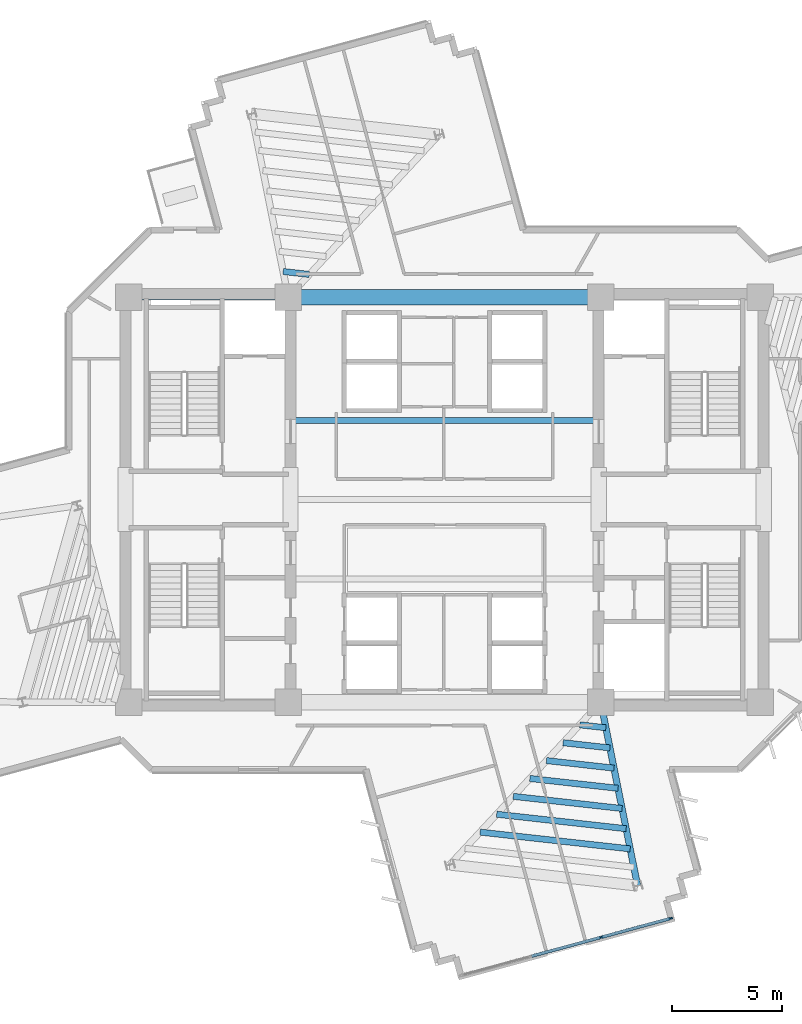
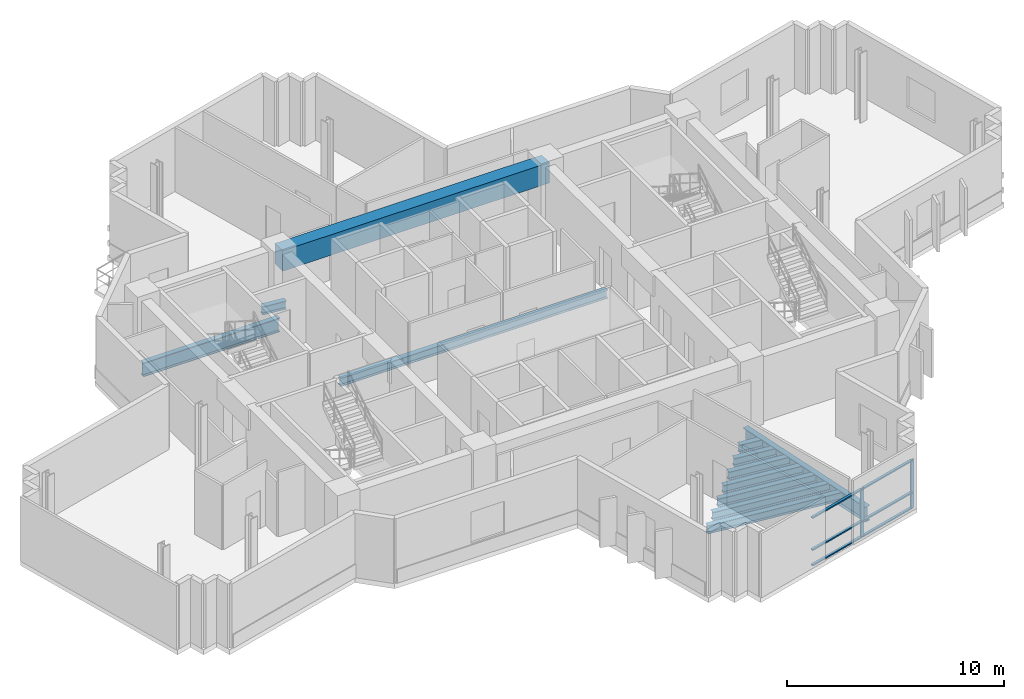
# One storey, part 5 of 15: 12 beams, 8 members, 1 element without a shape of its own.
"""IFC4 building model written with IfcOpenShell, lengths in metres."""

from ifc_helpers import new_model, si_unit, direction, frame, origin, origin_2d, place, context, subcontext, project, spatial, rectangle, i_section, extrude, source, transform, mapped, material, layer, layer_set, material_profile, profile_set, type_object, element, aggregate, save


model = new_model("IFC4")

# Units and contexts
model_context = context("Model", 3, precision=1e-05, world=origin(), true_north=direction((0.0, 1.0)))
body_context = subcontext(model_context, "Body", "Model", "MODEL_VIEW")
ifc_project = project(units=[si_unit("LENGTHUNIT", "METRE"), si_unit("AREAUNIT", "SQUARE_METRE"), si_unit("VOLUMEUNIT", "CUBIC_METRE"), si_unit("PLANEANGLEUNIT", "RADIAN"), si_unit("MASSUNIT", "GRAM", prefix="KILO")], contexts=[model_context])

# Site, building, storey
site_placement = place(None, origin())
site = spatial("IfcSite", under=ifc_project, at=site_placement, CompositionType="ELEMENT")
building_placement = place(site_placement, origin())
building = spatial("IfcBuilding", under=site, at=building_placement, Name="Zahravan Cultural Tower", CompositionType="ELEMENT")
storey_placement = place(building_placement, frame((0.0, 0.0, 198.0)))
storey = spatial("IfcBuildingStorey", under=building, at=storey_placement, Name="L46", CompositionType="ELEMENT", Elevation=198.0)

# Beams
ifc_material_1 = material(Name="Concrete C50/60", Category="concrete")
ifc_material_profile_1 = material_profile(ifc_material_1, rectangle(XDim=0.699951171875, YDim=1.14990234375, at=origin_2d()), Name="RC700X1150")
ifc_profile_set_1 = profile_set([ifc_material_profile_1], Name="Concrete C50/60")
beam_type_1 = type_object("IfcBeamType", Name="BM-LN-RC700X1150", PredefinedType="LINTEL", material=ifc_profile_set_1)
shared_shape_1 = source(origin(), body_context, "Body", "SweptSolid", [
    extrude(rectangle(XDim=0.699951171875, YDim=1.14990234375, at=origin_2d()), origin(), (0.0, 0.0, 1.0), 14.2001953125),
])
beam_1_placement = place(storey_placement, frame((28.89990234375, 36.199951171875, 3.044921875), z_axis=(1.0, 0.0, 0.0), x_axis=(0.0, 1.0, 0.0)))
element("IfcBeam", 1, at=beam_1_placement, inside=storey, type_object=beam_type_1, Name="L46 Beam LN-L46-N", PredefinedType="LINTEL", context=body_context, shape_type="MappedRepresentation", body=[
    mapped(shared_shape_1, transform((0.0, 0.0, 0.0), x_axis=(1.0, 0.0, 0.0), y_axis=(0.0, 1.0, 0.0), z_axis=(0.0, 0.0, 1.0), scale=1.0)),
])
ifc_material_2 = material(Name="Steel ASTM A992 Grade 50", Category="steel")
ifc_material_profile_2 = material_profile(ifc_material_2, i_section(OverallWidth=0.26611328125, OverallDepth=0.780029296875, WebThickness=0.0166015625, FlangeThickness=0.030029296875, FilletRadius=0.01904296875, at=origin_2d()), Name="W30X148")
ifc_profile_set_2 = profile_set([ifc_material_profile_2], Name="Steel ASTM A992 Grade 50")
beam_type_2 = type_object("IfcBeamType", Name="BM-G-W30X148", PredefinedType="BEAM", material=ifc_profile_set_2)
shared_shape_2 = source(origin(), body_context, "Body", "SweptSolid", [
    extrude(i_section(OverallWidth=0.26611328125, OverallDepth=0.780029296875, WebThickness=0.0166015625, FlangeThickness=0.030029296875, FilletRadius=0.01904296875, at=origin_2d()), origin(), (0.0, 0.0, 1.0), 7.25),
])
beam_2_placement = place(storey_placement, frame((21.64990234375, 36.199951171875, -0.669921875), z_axis=(1.0, 0.0, 0.0), x_axis=(0.0, 1.0, 0.0)))
element("IfcBeam", 2, at=beam_2_placement, inside=storey, type_object=beam_type_2, Name="L46 Beam BG-L46-02", PredefinedType="BEAM", context=body_context, shape_type="MappedRepresentation", body=[
    mapped(shared_shape_2, transform((0.0, 0.0, 0.0), x_axis=(1.0, 0.0, 0.0), y_axis=(0.0, 1.0, 0.0), z_axis=(0.0, 0.0, 1.0), scale=1.0)),
])
ifc_material_profile_3 = material_profile(ifc_material_2, i_section(OverallWidth=0.29296875, OverallDepth=0.845947265625, WebThickness=0.015380859375, FlangeThickness=0.0244140625, FilletRadius=0.02001953125, at=origin_2d()), Name="W33X141")
ifc_profile_set_3 = profile_set([ifc_material_profile_3], Name="Steel ASTM A992 Grade 50")
beam_type_3 = type_object("IfcBeamType", Name="BM-G-W33X141", PredefinedType="BEAM", material=ifc_profile_set_3)
shared_shape_3 = source(origin(), body_context, "Body", "SweptSolid", [
    extrude(i_section(OverallWidth=0.29296875, OverallDepth=0.845947265625, WebThickness=0.015380859375, FlangeThickness=0.0244140625, FilletRadius=0.02001953125, at=origin_2d()), origin(), (0.0, 0.0, 1.0), 8.50732421875),
])
beam_3_placement = place(storey_placement, frame((43.10009765625, 17.800048828125, -0.702880859375), z_axis=(0.196524514012, -0.980498911469, 0.0), x_axis=(0.980498911469, 0.196524514012, 0.0)))
element("IfcBeam", 3, at=beam_3_placement, inside=storey, type_object=beam_type_3, Name="L46 Beam BG-L46-10", PredefinedType="BEAM", context=body_context, shape_type="MappedRepresentation", body=[
    mapped(shared_shape_3, transform((0.0, 0.0, 0.0), x_axis=(1.0, 0.0, 0.0), y_axis=(0.0, 1.0, 0.0), z_axis=(0.0, 0.0, 1.0), scale=1.0)),
])
ifc_material_profile_4 = material_profile(ifc_material_2, i_section(OverallWidth=0.280029296875, OverallDepth=0.462890625, WebThickness=0.0107421875, FlangeThickness=0.017333984375, FilletRadius=0.012939453125, at=origin_2d()), Name="W18X76")
ifc_profile_set_4 = profile_set([ifc_material_profile_4], Name="Steel ASTM A992 Grade 50")
beam_type_4 = type_object("IfcBeamType", Name="BM-J-W18X76", PredefinedType="JOIST", material=ifc_profile_set_4)
shared_shape_4 = source(origin(), body_context, "Body", "SweptSolid", [
    extrude(i_section(OverallWidth=0.280029296875, OverallDepth=0.462890625, WebThickness=0.0107421875, FlangeThickness=0.017333984375, FilletRadius=0.012939453125, at=origin_2d()), origin(), (0.0, 0.0, 1.0), 14.2001953125),
])
beam_4_placement = place(storey_placement, frame((28.89990234375, 30.60009765625, -0.511474609375), z_axis=(1.0, 0.0, 0.0), x_axis=(0.0, 1.0, 0.0)))
element("IfcBeam", 4, at=beam_4_placement, inside=storey, type_object=beam_type_4, Name="L46 Beam BJ-L46-25", PredefinedType="JOIST", context=body_context, shape_type="MappedRepresentation", body=[
    mapped(shared_shape_4, transform((0.0, 0.0, 0.0), x_axis=(1.0, 0.0, 0.0), y_axis=(0.0, 1.0, 0.0), z_axis=(0.0, 0.0, 1.0), scale=1.0)),
])
shared_shape_5 = source(origin(), body_context, "Body", "SweptSolid", [
    extrude(i_section(OverallWidth=0.280029296875, OverallDepth=0.462890625, WebThickness=0.0107421875, FlangeThickness=0.017333984375, FilletRadius=0.012939453125, at=origin_2d()), origin(), (0.0, 0.0, 1.0), 1.201171875),
])
for number, where, z_axis, x_axis, name in (
    (5, (42.140380859375, 16.765625, -0.511474609375), (0.99379916149, -0.111190047317, 0.0), (0.111190047317, 0.99379916149, 0.0), "L46 Beam BJ-L46-34"),
    (6, (29.859619140625, 37.234375, -0.511474609375), (-0.99379916149, 0.111190047317, 0.0), (-0.111190047317, -0.99379916149, 0.0), "L46 Beam BJ-L46-50"),
):
    element("IfcBeam", number, at=place(storey_placement, frame(where, z_axis=z_axis, x_axis=x_axis)), inside=storey, type_object=beam_type_4, Name=name, PredefinedType="JOIST", context=body_context, shape_type="MappedRepresentation", body=[
        mapped(shared_shape_5, transform((0.0, 0.0, 0.0), x_axis=(1.0, 0.0, 0.0), y_axis=(0.0, 1.0, 0.0), z_axis=(0.0, 0.0, 1.0), scale=1.0)),
    ])
shared_shape_6 = source(origin(), body_context, "Body", "SweptSolid", [
    extrude(i_section(OverallWidth=0.280029296875, OverallDepth=0.462890625, WebThickness=0.0107421875, FlangeThickness=0.017333984375, FilletRadius=0.012939453125, at=origin_2d()), origin(), (0.0, 0.0, 1.0), 2.144775390625),
])
beam_5_placement = place(storey_placement, frame((41.386474609375, 15.953125, -0.511474609375), z_axis=(0.993797370806, -0.111206051, 0.0), x_axis=(0.111206051, 0.993797370806, 0.0)))
element("IfcBeam", 7, at=beam_5_placement, inside=storey, type_object=beam_type_4, Name="L46 Beam BJ-L46-35", PredefinedType="JOIST", context=body_context, shape_type="MappedRepresentation", body=[
    mapped(shared_shape_6, transform((0.0, 0.0, 0.0), x_axis=(1.0, 0.0, 0.0), y_axis=(0.0, 1.0, 0.0), z_axis=(0.0, 0.0, 1.0), scale=1.0)),
])
shared_shape_7 = source(origin(), body_context, "Body", "SweptSolid", [
    extrude(i_section(OverallWidth=0.280029296875, OverallDepth=0.462890625, WebThickness=0.0107421875, FlangeThickness=0.017333984375, FilletRadius=0.012939453125, at=origin_2d()), origin(), (0.0, 0.0, 1.0), 3.088623046875),
])
beam_6_placement = place(storey_placement, frame((40.63232421875, 15.140380859375, -0.511474609375), z_axis=(0.993805407368, -0.111134208443, 0.0), x_axis=(0.111134208443, 0.993805407368, 0.0)))
element("IfcBeam", 8, at=beam_6_placement, inside=storey, type_object=beam_type_4, Name="L46 Beam BJ-L46-36", PredefinedType="JOIST", context=body_context, shape_type="MappedRepresentation", body=[
    mapped(shared_shape_7, transform((0.0, 0.0, 0.0), x_axis=(1.0, 0.0, 0.0), y_axis=(0.0, 1.0, 0.0), z_axis=(0.0, 0.0, 1.0), scale=1.0)),
])
shared_shape_8 = source(origin(), body_context, "Body", "SweptSolid", [
    extrude(i_section(OverallWidth=0.280029296875, OverallDepth=0.462890625, WebThickness=0.0107421875, FlangeThickness=0.017333984375, FilletRadius=0.012939453125, at=origin_2d()), origin(), (0.0, 0.0, 1.0), 4.0322265625),
])
beam_7_placement = place(storey_placement, frame((39.87841796875, 14.327880859375, -0.511474609375), z_axis=(0.993802245601, -0.11116247855, 0.0), x_axis=(0.11116247855, 0.993802245601, 0.0)))
element("IfcBeam", 9, at=beam_7_placement, inside=storey, type_object=beam_type_4, Name="L46 Beam BJ-L46-37", PredefinedType="JOIST", context=body_context, shape_type="MappedRepresentation", body=[
    mapped(shared_shape_8, transform((0.0, 0.0, 0.0), x_axis=(1.0, 0.0, 0.0), y_axis=(0.0, 1.0, 0.0), z_axis=(0.0, 0.0, 1.0), scale=1.0)),
])
shared_shape_9 = source(origin(), body_context, "Body", "SweptSolid", [
    extrude(i_section(OverallWidth=0.280029296875, OverallDepth=0.462890625, WebThickness=0.0107421875, FlangeThickness=0.017333984375, FilletRadius=0.012939453125, at=origin_2d()), origin(), (0.0, 0.0, 1.0), 4.97607421875),
])
beam_8_placement = place(storey_placement, frame((39.124267578125, 13.51513671875, -0.511474609375), z_axis=(0.993806308517, -0.111126149723, 0.0), x_axis=(0.111126149723, 0.993806308517, 0.0)))
element("IfcBeam", 10, at=beam_8_placement, inside=storey, type_object=beam_type_4, Name="L46 Beam BJ-L46-38", PredefinedType="JOIST", context=body_context, shape_type="MappedRepresentation", body=[
    mapped(shared_shape_9, transform((0.0, 0.0, 0.0), x_axis=(1.0, 0.0, 0.0), y_axis=(0.0, 1.0, 0.0), z_axis=(0.0, 0.0, 1.0), scale=1.0)),
])
shared_shape_10 = source(origin(), body_context, "Body", "SweptSolid", [
    extrude(i_section(OverallWidth=0.280029296875, OverallDepth=0.462890625, WebThickness=0.0107421875, FlangeThickness=0.017333984375, FilletRadius=0.012939453125, at=origin_2d()), origin(), (0.0, 0.0, 1.0), 5.919921875),
])
beam_9_placement = place(storey_placement, frame((38.370361328125, 12.70263671875, -0.511474609375), z_axis=(0.993804520866, -0.111142135602, 0.0), x_axis=(0.111142135602, 0.993804520866, 0.0)))
element("IfcBeam", 11, at=beam_9_placement, inside=storey, type_object=beam_type_4, Name="L46 Beam BJ-L46-39", PredefinedType="JOIST", context=body_context, shape_type="MappedRepresentation", body=[
    mapped(shared_shape_10, transform((0.0, 0.0, 0.0), x_axis=(1.0, 0.0, 0.0), y_axis=(0.0, 1.0, 0.0), z_axis=(0.0, 0.0, 1.0), scale=1.0)),
])
shared_shape_11 = source(origin(), body_context, "Body", "SweptSolid", [
    extrude(i_section(OverallWidth=0.280029296875, OverallDepth=0.462890625, WebThickness=0.0107421875, FlangeThickness=0.017333984375, FilletRadius=0.012939453125, at=origin_2d()), origin(), (0.0, 0.0, 1.0), 6.86376953125),
])
beam_10_placement = place(storey_placement, frame((37.6162109375, 11.889892578125, -0.511474609375), z_axis=(0.993803224695, -0.111153725024, 0.0), x_axis=(0.111153725024, 0.993803224695, 0.0)))
element("IfcBeam", 12, at=beam_10_placement, inside=storey, type_object=beam_type_4, Name="L46 Beam BJ-L46-40", PredefinedType="JOIST", context=body_context, shape_type="MappedRepresentation", body=[
    mapped(shared_shape_11, transform((0.0, 0.0, 0.0), x_axis=(1.0, 0.0, 0.0), y_axis=(0.0, 1.0, 0.0), z_axis=(0.0, 0.0, 1.0), scale=1.0)),
])

# Curtain wall, members
ifc_material_3 = material(Name="Anodised bronze-aluminium mullion", Category="aluminium")
ifc_layer = layer(ifc_material_3, 0.179931640625)
ifc_layer_set = layer_set([ifc_layer], Name="Anodised bronze-aluminium mullion")
curtain_wall_type = type_object("IfcCurtainWallType", Name="CW-SYS-3", PredefinedType="USERDEFINED", material=ifc_layer_set)
curtain_wall_placement = place(storey_placement, origin())
curtain_wall = element("IfcCurtainWall", 13, at=curtain_wall_placement, inside=storey, type_object=curtain_wall_type, Name="L46 Recessed Curtain Wall CW-3.1", ObjectType="RECESSED GLAZING", PredefinedType="USERDEFINED")
ifc_material_profile_5 = material_profile(ifc_material_3, rectangle(XDim=0.070068359375, YDim=0.179931640625, at=origin_2d()), Name="AL-M70X180")
ifc_profile_set_5 = profile_set([ifc_material_profile_5], Name="Anodised bronze-aluminium mullion")
member_type_1 = type_object("IfcMemberType", Name="CWM-CW-3", PredefinedType="MULLION", material=ifc_profile_set_5)
shared_shape_12 = source(origin(), body_context, "Body", "SweptSolid", [
    extrude(rectangle(XDim=0.070068359375, YDim=0.179931640625, at=origin_2d()), origin(), (0.0, 0.0, 1.0), 2.739990234375),
])
member_1_placement = place(storey_placement, frame((46.2744140625, 7.968017578125, 0.0), z_axis=(0.0, 0.0, 1.0), x_axis=(0.262186687636, -0.96501717126, 0.0)))
member_1 = element("IfcMember", 14, at=member_1_placement, type_object=member_type_1, Name="CW-3 mullion 1", PredefinedType="MULLION", context=body_context, shape_type="MappedRepresentation", body=[
    mapped(shared_shape_12, transform((0.0, 0.0, 0.0), x_axis=(1.0, 0.0, 0.0), y_axis=(0.0, 1.0, 0.0), z_axis=(0.0, 0.0, 1.0), scale=1.0)),
])
member_2_placement = place(storey_placement, frame((43.1171875, 7.1103515625, 0.0), z_axis=(0.0, 0.0, 1.0), x_axis=(0.262186687636, -0.96501717126, 0.0)))
member_2 = element("IfcMember", 15, at=member_2_placement, type_object=member_type_1, Name="CW-3 mullion 2", PredefinedType="MULLION", context=body_context, shape_type="MappedRepresentation", body=[
    mapped(shared_shape_12, transform((0.0, 0.0, 0.0), x_axis=(1.0, 0.0, 0.0), y_axis=(0.0, 1.0, 0.0), z_axis=(0.0, 0.0, 1.0), scale=1.0)),
])
ifc_material_profile_6 = material_profile(ifc_material_3, rectangle(XDim=0.139892578125, YDim=0.070068359375, at=origin_2d()), Name="AL-T70X140")
ifc_profile_set_6 = profile_set([ifc_material_profile_6], Name="Anodised bronze-aluminium mullion")
member_type_2 = type_object("IfcMemberType", Name="CWT-CW-3", PredefinedType="USERDEFINED", material=ifc_profile_set_6)
shared_shape_13 = source(origin(), body_context, "Body", "SweptSolid", [
    extrude(rectangle(XDim=0.139892578125, YDim=0.070068359375, at=origin_2d()), origin(), (0.0, 0.0, 1.0), 3.23681640625),
])
member_3_placement = place(storey_placement, frame((43.08349609375, 7.10107421875, 0.034912109375), z_axis=(-0.965017503384, -0.2621854652, 0.0), x_axis=(0.2621854652, -0.965017503384, 0.0)))
member_3 = element("IfcMember", 16, at=member_3_placement, type_object=member_type_2, Name="CW-3 transom 2.1", ObjectType="TRANSOM", PredefinedType="USERDEFINED", context=body_context, shape_type="MappedRepresentation", body=[
    mapped(shared_shape_13, transform((0.0, 0.0, 0.0), x_axis=(1.0, 0.0, 0.0), y_axis=(0.0, 1.0, 0.0), z_axis=(0.0, 0.0, 1.0), scale=1.0)),
])
member_4_placement = place(storey_placement, frame((43.08349609375, 7.10107421875, 0.89990234375), z_axis=(-0.965017503384, -0.2621854652, 0.0), x_axis=(0.2621854652, -0.965017503384, 0.0)))
member_4 = element("IfcMember", 17, at=member_4_placement, type_object=member_type_2, Name="CW-3 transom 2.2", ObjectType="TRANSOM", PredefinedType="USERDEFINED", context=body_context, shape_type="MappedRepresentation", body=[
    mapped(shared_shape_13, transform((0.0, 0.0, 0.0), x_axis=(1.0, 0.0, 0.0), y_axis=(0.0, 1.0, 0.0), z_axis=(0.0, 0.0, 1.0), scale=1.0)),
])
member_5_placement = place(storey_placement, frame((43.08349609375, 7.10107421875, 2.705078125), z_axis=(-0.965017503384, -0.2621854652, 0.0), x_axis=(0.2621854652, -0.965017503384, 0.0)))
member_5 = element("IfcMember", 18, at=member_5_placement, type_object=member_type_2, Name="CW-3 transom 2.3", ObjectType="TRANSOM", PredefinedType="USERDEFINED", context=body_context, shape_type="MappedRepresentation", body=[
    mapped(shared_shape_13, transform((0.0, 0.0, 0.0), x_axis=(1.0, 0.0, 0.0), y_axis=(0.0, 1.0, 0.0), z_axis=(0.0, 0.0, 1.0), scale=1.0)),
])
shared_shape_14 = source(origin(), body_context, "Body", "SweptSolid", [
    extrude(rectangle(XDim=0.139892578125, YDim=0.070068359375, at=origin_2d()), origin(), (0.0, 0.0, 1.0), 3.201904296875),
])
member_6_placement = place(storey_placement, frame((46.24072265625, 7.958740234375, 0.034912109375), z_axis=(-0.965027280118, -0.262149477643, 0.0), x_axis=(0.262149477643, -0.965027280118, 0.0)))
member_6 = element("IfcMember", 19, at=member_6_placement, type_object=member_type_2, Name="CW-3 transom 1.1", ObjectType="TRANSOM", PredefinedType="USERDEFINED", context=body_context, shape_type="MappedRepresentation", body=[
    mapped(shared_shape_14, transform((0.0, 0.0, 0.0), x_axis=(1.0, 0.0, 0.0), y_axis=(0.0, 1.0, 0.0), z_axis=(0.0, 0.0, 1.0), scale=1.0)),
])
member_7_placement = place(storey_placement, frame((46.24072265625, 7.958740234375, 0.89990234375), z_axis=(-0.965027280118, -0.262149477643, 0.0), x_axis=(0.262149477643, -0.965027280118, 0.0)))
member_7 = element("IfcMember", 20, at=member_7_placement, type_object=member_type_2, Name="CW-3 transom 1.2", ObjectType="TRANSOM", PredefinedType="USERDEFINED", context=body_context, shape_type="MappedRepresentation", body=[
    mapped(shared_shape_14, transform((0.0, 0.0, 0.0), x_axis=(1.0, 0.0, 0.0), y_axis=(0.0, 1.0, 0.0), z_axis=(0.0, 0.0, 1.0), scale=1.0)),
])
member_8_placement = place(storey_placement, frame((46.24072265625, 7.958740234375, 2.705078125), z_axis=(-0.965027280118, -0.262149477643, 0.0), x_axis=(0.262149477643, -0.965027280118, 0.0)))
member_8 = element("IfcMember", 21, at=member_8_placement, type_object=member_type_2, Name="CW-3 transom 1.3", ObjectType="TRANSOM", PredefinedType="USERDEFINED", context=body_context, shape_type="MappedRepresentation", body=[
    mapped(shared_shape_14, transform((0.0, 0.0, 0.0), x_axis=(1.0, 0.0, 0.0), y_axis=(0.0, 1.0, 0.0), z_axis=(0.0, 0.0, 1.0), scale=1.0)),
])
aggregate(curtain_wall, [member_1, member_2, member_6, member_7, member_8, member_3, member_4, member_5])

save(model, "model.ifc")
